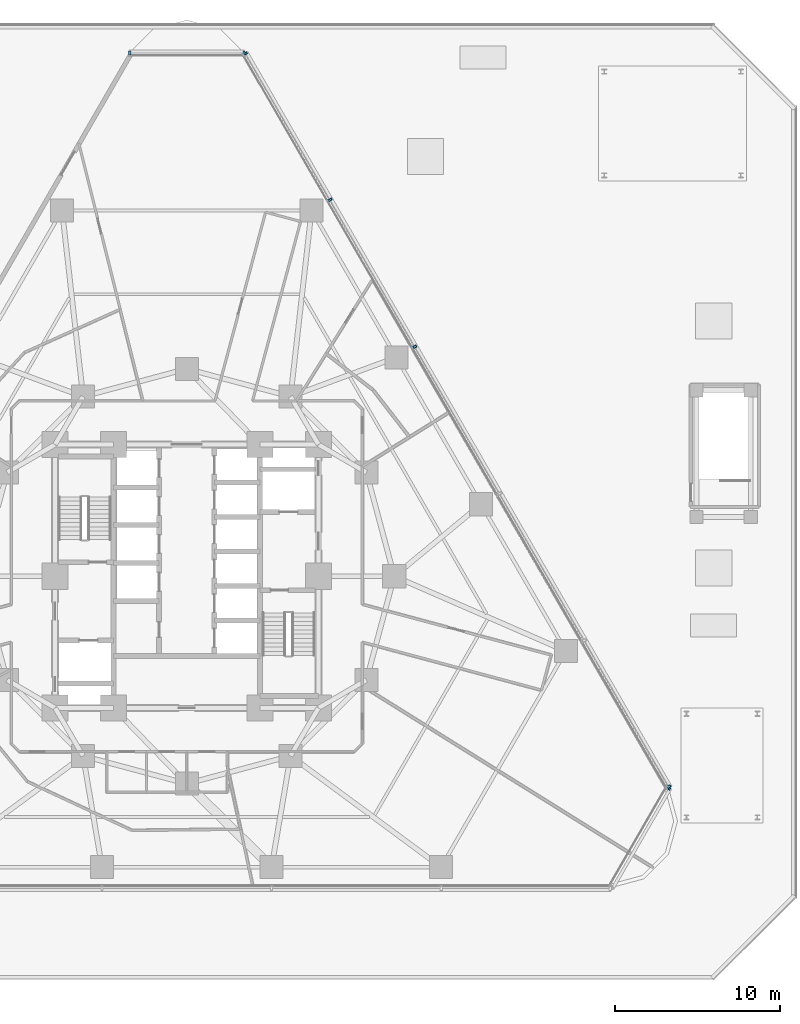
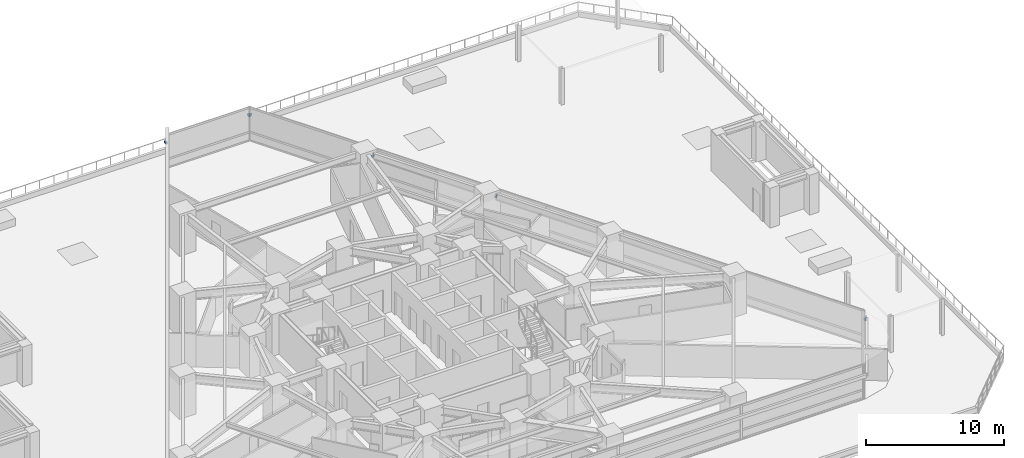
# One storey, part 21 of 23: 7 discrete accessories.
"""IFC4 building model written with IfcOpenShell, lengths in metres."""

from ifc_helpers import new_model, si_unit, direction, frame, origin, origin_2d, place, context, subcontext, project, spatial, rectangle, extrude, material, type_object, element, save


model = new_model("IFC4")

# Units and contexts
model_context = context("Model", 3, precision=1e-05, world=origin(), true_north=direction((0.0, 1.0)))
body_context = subcontext(model_context, "Body", "Model", "MODEL_VIEW")
ifc_project = project(units=[si_unit("LENGTHUNIT", "METRE"), si_unit("AREAUNIT", "SQUARE_METRE"), si_unit("VOLUMEUNIT", "CUBIC_METRE"), si_unit("PLANEANGLEUNIT", "RADIAN"), si_unit("MASSUNIT", "GRAM", prefix="KILO")], contexts=[model_context])

# Site, building, storey
site_placement = place(None, origin())
site = spatial("IfcSite", under=ifc_project, at=site_placement, CompositionType="ELEMENT")
building_placement = place(site_placement, origin())
building = spatial("IfcBuilding", under=site, at=building_placement, Name="Terralouvre Media Tower", CompositionType="ELEMENT")
storey_placement = place(building_placement, frame((0.0, 0.0, 26.0)))
storey = spatial("IfcBuildingStorey", under=building, at=storey_placement, Name="L05", CompositionType="ELEMENT", Elevation=26.0)

# Discrete accessories
ifc_material = material(Name="Anodised extruded aluminium 6063-T6", Category="aluminium")
discrete_accessory_type = type_object("IfcDiscreteAccessoryType", Name="Mullion Stand-Off Baguette Fixing Bracket BK-01", PredefinedType="BRACKET", material=ifc_material)
for number, where, z_axis, x_axis, name in (
    (1, (29.273193359375, -12.789306640625, 2.07421875), (0.0, 0.0, 1.0), (-0.499999985671, 0.866025412057, 0.0), "CW-L05-F1 Baguette Outrigger Bracket 1.01"),
    (2, (13.842041015625, 13.9384765625, 2.07421875), (0.0, 0.0, 1.0), (-0.499999985671, 0.866025412057, 0.0), "CW-L05-F1 Baguette Outrigger Bracket 1.04"),
    (3, (8.692138671875, 22.8583984375, 2.07421875), (0.0, 0.0, 1.0), (-0.499999985671, 0.866025412057, 0.0), "CW-L05-F1 Baguette Outrigger Bracket 1.05"),
    (4, (3.560791015625, 31.74609375, 2.07421875), (0.0, 0.0, 1.0), (-0.499999985671, 0.866025412057, 0.0), "CW-L05-F1 Baguette Outrigger Bracket 1.06"),
    (5, (29.255859375, -12.88427734375, 2.07421875), (0.0, 0.0, 1.0), (0.499999691503, 0.866025581895, 0.0), "CW-L05-C1 Baguette Outrigger Bracket 1.02"),
    (6, (3.469970703125, 31.778564453125, 2.07421875), (0.0, 0.0, 1.0), (-1.0, 0.0, 0.0), "CW-L05-C2 Baguette Outrigger Bracket 1.01"),
    (7, (-3.469970703125, 31.778564453125, 2.07421875), (0.0, 0.0, 1.0), (-1.0, 0.0, 0.0), "CW-L05-C2 Baguette Outrigger Bracket 1.02"),
):
    element("IfcDiscreteAccessory", number, at=place(storey_placement, frame(where, z_axis=z_axis, x_axis=x_axis)), inside=storey, type_object=discrete_accessory_type, Name=name, PredefinedType="BRACKET", context=body_context, shape_type="SweptSolid", body=[
        extrude(rectangle(XDim=0.139892578125, YDim=0.239990234375, at=origin_2d()), origin(), (0.0, 0.0, 1.0), 0.179931640625),
    ])

save(model, "model.ifc")
